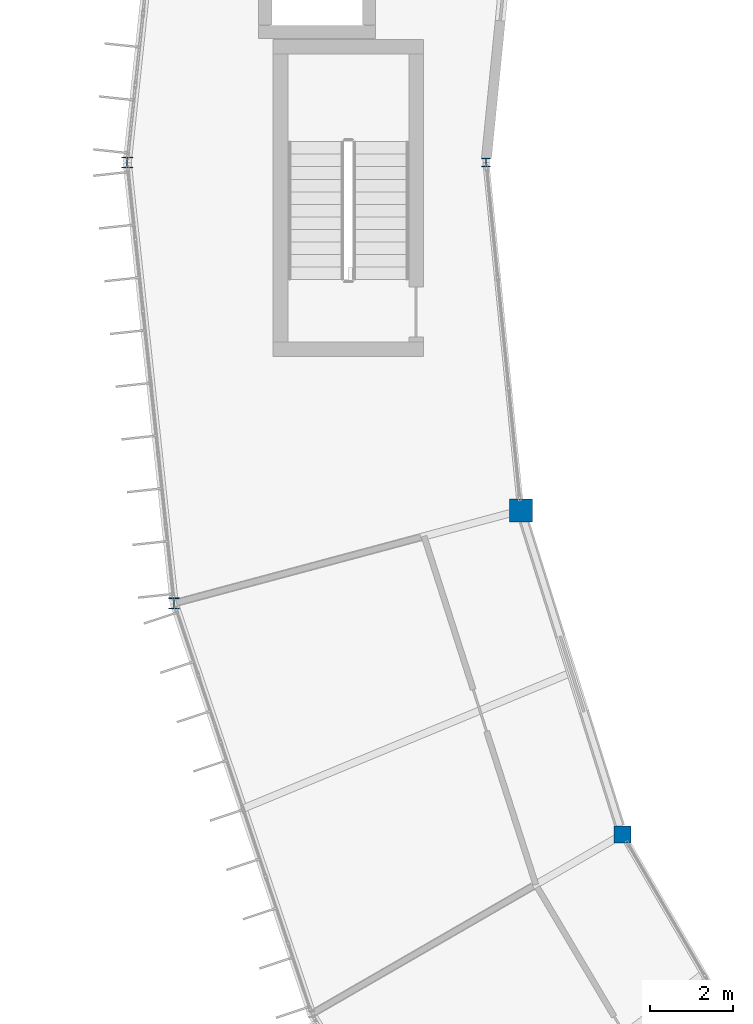
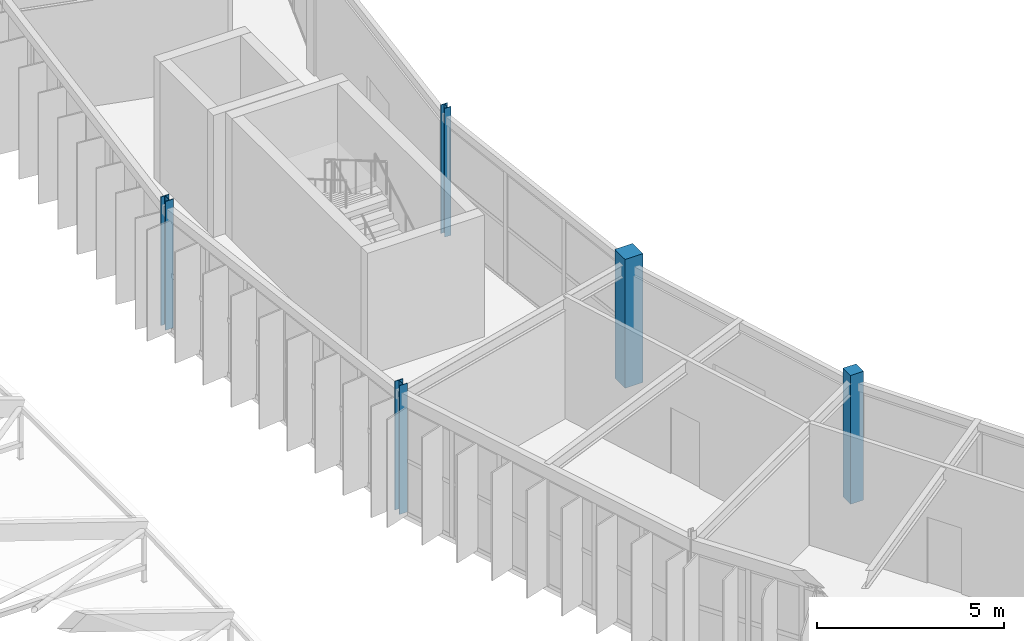
# One storey, part 4 of 134: 5 columns.
"""IFC4 building model written with IfcOpenShell, lengths in metres."""

from ifc_helpers import new_model, si_unit, direction, frame, origin, origin_2d, place, context, subcontext, project, spatial, rectangle, i_section, extrude, material, material_profile, profile_set, type_object, element, save


model = new_model("IFC4")

# Units and contexts
model_context = context("Model", 3, precision=1e-05, world=origin(), true_north=direction((0.0, 1.0)))
body_context = subcontext(model_context, "Body", "Model", "MODEL_VIEW")
ifc_project = project(units=[si_unit("LENGTHUNIT", "METRE"), si_unit("AREAUNIT", "SQUARE_METRE"), si_unit("VOLUMEUNIT", "CUBIC_METRE"), si_unit("PLANEANGLEUNIT", "RADIAN"), si_unit("MASSUNIT", "GRAM", prefix="KILO")], contexts=[model_context])

# Site, building, storey
site_placement = place(None, origin())
site = spatial("IfcSite", under=ifc_project, at=site_placement, CompositionType="ELEMENT")
building_placement = place(site_placement, origin())
building = spatial("IfcBuilding", under=site, at=building_placement, Name="Karori Crest Natural Sciences Institute", CompositionType="ELEMENT")
storey_placement = place(building_placement, frame((0.0, 0.0, 21.699951171875)))
storey = spatial("IfcBuildingStorey", under=building, at=storey_placement, Name="L05", CompositionType="ELEMENT", Elevation=21.699951171875)

# Columns
ifc_material_1 = material(Name="Structural steel AS/NZS 3679.1 Grade 350", Category="steel")
ifc_material_profile_1 = material_profile(ifc_material_1, i_section(OverallWidth=0.256103515625, OverallDepth=0.260009765625, WebThickness=0.010498046875, FlangeThickness=0.017333984375, FilletRadius=0.013916015625, at=origin_2d()), Name="250UC89.5")
ifc_profile_set_1 = profile_set([ifc_material_profile_1], Name="Structural steel AS/NZS 3679.1 Grade 350")
column_type_1 = type_object("IfcColumnType", Name="CT-06", PredefinedType="COLUMN", material=ifc_profile_set_1)
column_1_placement = place(storey_placement, frame((33.39990234375, 49.89990234375, 0.0), z_axis=(0.0, 0.0, 1.0), x_axis=(1.0, 0.0, 0.0)))
element("IfcColumn", 1, at=column_1_placement, inside=storey, type_object=column_type_1, Name="Column C-0217", PredefinedType="COLUMN", context=body_context, shape_type="SweptSolid", body=[
    extrude(i_section(OverallWidth=0.256103515625, OverallDepth=0.260009765625, WebThickness=0.010498046875, FlangeThickness=0.017333984375, FilletRadius=0.013916015625, at=origin_2d()), origin(), (0.0, 0.0, 1.0), 4.199951171875),
])
ifc_material_profile_2 = material_profile(ifc_material_1, i_section(OverallWidth=0.25390625, OverallDepth=0.25390625, WebThickness=0.008544921875, FlangeThickness=0.01416015625, FilletRadius=0.013916015625, at=origin_2d()), Name="250UC72.9")
ifc_profile_set_2 = profile_set([ifc_material_profile_2], Name="Structural steel AS/NZS 3679.1 Grade 350")
column_type_2 = type_object("IfcColumnType", Name="CT-07", PredefinedType="COLUMN", material=ifc_profile_set_2)
column_2_placement = place(storey_placement, frame((34.5244140625, 39.340087890625, 0.0), z_axis=(0.0, 0.0, 1.0), x_axis=(1.0, 0.0, 0.0)))
element("IfcColumn", 2, at=column_2_placement, inside=storey, type_object=column_type_2, Name="Column C-0233", PredefinedType="COLUMN", context=body_context, shape_type="SweptSolid", body=[
    extrude(i_section(OverallWidth=0.25390625, OverallDepth=0.25390625, WebThickness=0.008544921875, FlangeThickness=0.01416015625, FilletRadius=0.013916015625, at=origin_2d()), origin(), (0.0, 0.0, 1.0), 4.199951171875),
])
ifc_material_profile_3 = material_profile(ifc_material_1, i_section(OverallWidth=0.205078125, OverallDepth=0.2099609375, WebThickness=0.00927734375, FlangeThickness=0.01416015625, FilletRadius=0.010986328125, at=origin_2d()), Name="200UC59.5")
ifc_profile_set_3 = profile_set([ifc_material_profile_3], Name="Structural steel AS/NZS 3679.1 Grade 350")
column_type_3 = type_object("IfcColumnType", Name="CT-08", PredefinedType="COLUMN", material=ifc_profile_set_3)
column_3_placement = place(storey_placement, frame((42.0, 49.89990234375, 0.0), z_axis=(0.0, 0.0, 1.0), x_axis=(1.0, 0.0, 0.0)))
element("IfcColumn", 3, at=column_3_placement, inside=storey, type_object=column_type_3, Name="Column C-0218", PredefinedType="COLUMN", context=body_context, shape_type="SweptSolid", body=[
    extrude(i_section(OverallWidth=0.205078125, OverallDepth=0.2099609375, WebThickness=0.00927734375, FlangeThickness=0.01416015625, FilletRadius=0.010986328125, at=origin_2d()), origin(), (0.0, 0.0, 1.0), 4.199951171875),
])
ifc_material_2 = material(Name="Concrete 50 MPa", Category="concrete")
ifc_material_profile_4 = material_profile(ifc_material_2, rectangle(XDim=0.550048828125, YDim=0.550048828125, at=origin_2d()), Name="RC550x550")
ifc_profile_set_4 = profile_set([ifc_material_profile_4], Name="Concrete 50 MPa")
column_type_4 = type_object("IfcColumnType", Name="CT-30", PredefinedType="COLUMN", material=ifc_profile_set_4)
column_4_placement = place(storey_placement, frame((42.831298828125, 41.56591796875, 0.0), z_axis=(0.0, 0.0, 1.0), x_axis=(1.0, 0.0, 0.0)))
element("IfcColumn", 4, at=column_4_placement, inside=storey, type_object=column_type_4, Name="Column C-0234", PredefinedType="COLUMN", context=body_context, shape_type="SweptSolid", body=[
    extrude(rectangle(XDim=0.550048828125, YDim=0.550048828125, at=origin_2d()), origin(), (0.0, 0.0, 1.0), 4.199951171875),
])
ifc_material_profile_5 = material_profile(ifc_material_2, rectangle(XDim=0.39990234375, YDim=0.39990234375, at=origin_2d()), Name="RC400x400")
ifc_profile_set_5 = profile_set([ifc_material_profile_5], Name="Concrete 50 MPa")
column_type_5 = type_object("IfcColumnType", Name="CT-31", PredefinedType="PILASTER", material=ifc_profile_set_5)
column_5_placement = place(storey_placement, frame((45.26904296875, 33.800048828125, 0.0), z_axis=(0.0, 0.0, 1.0), x_axis=(1.0, 0.0, 0.0)))
element("IfcColumn", 5, at=column_5_placement, inside=storey, type_object=column_type_5, Name="Column C-0250", PredefinedType="PILASTER", context=body_context, shape_type="SweptSolid", body=[
    extrude(rectangle(XDim=0.39990234375, YDim=0.39990234375, at=origin_2d()), origin(), (0.0, 0.0, 1.0), 4.199951171875),
])

save(model, "model.ifc")
